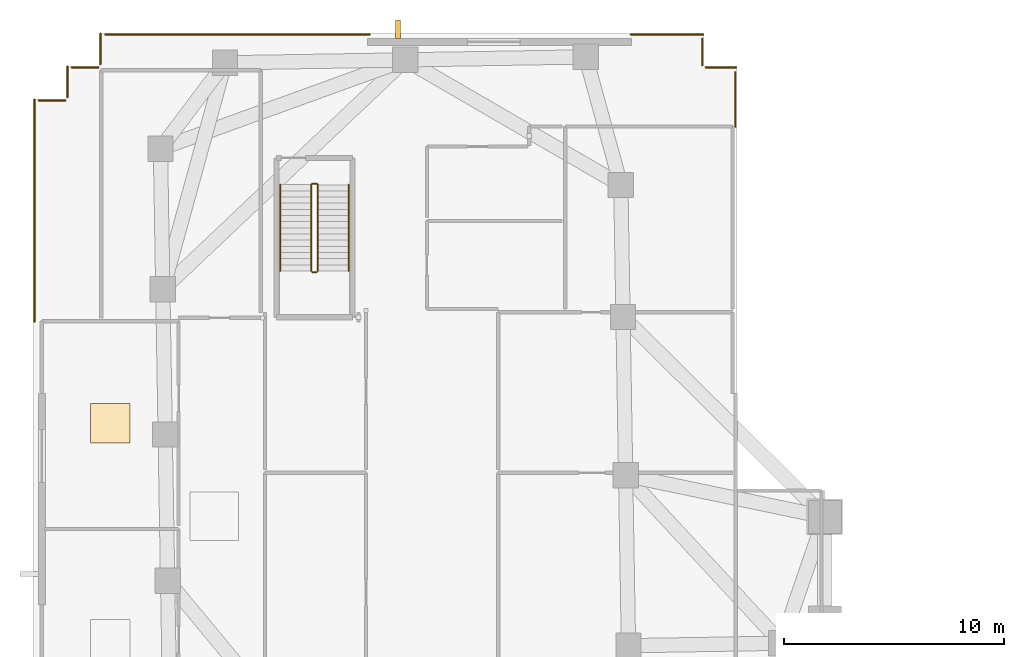
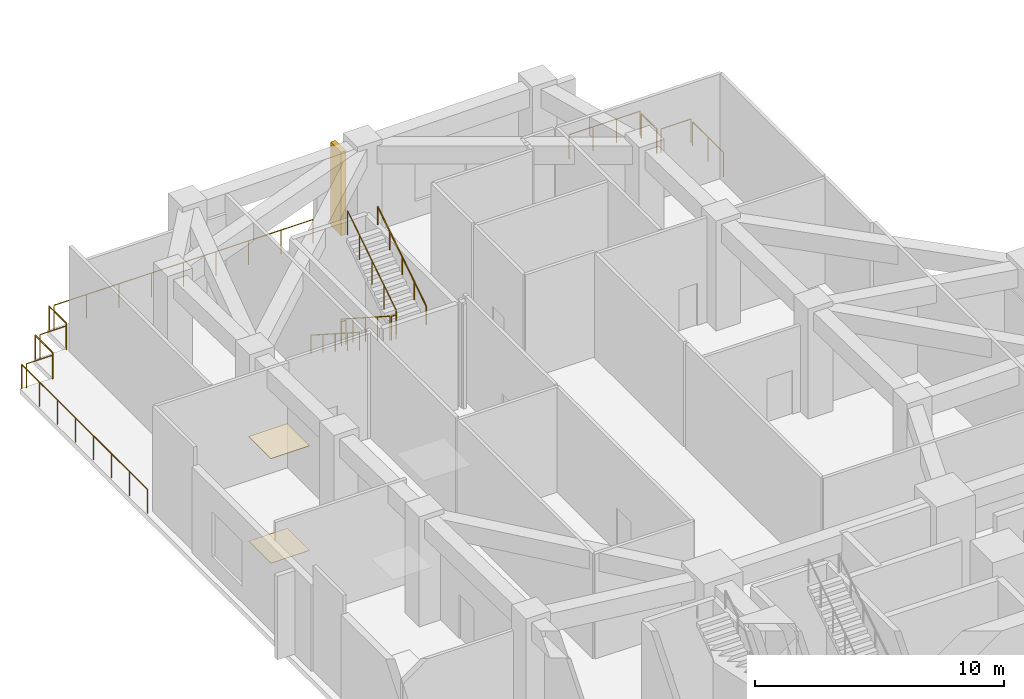
# One storey, part 17 of 18: 16 railings, 2 coverings, 1 shading device.
"""IFC4 building model written with IfcOpenShell, lengths in metres."""

from ifc_helpers import new_model, si_unit, direction, frame, origin, origin_2d, place, context, subcontext, project, spatial, rectangle, circle, extrude, material, layer, layer_set, type_object, element, save


model = new_model("IFC4")

# Units and contexts
model_context = context("Model", 3, precision=1e-05, world=origin(), true_north=direction((0.0, 1.0)))
body_context = subcontext(model_context, "Body", "Model", "MODEL_VIEW")
ifc_project = project(units=[si_unit("LENGTHUNIT", "METRE"), si_unit("AREAUNIT", "SQUARE_METRE"), si_unit("VOLUMEUNIT", "CUBIC_METRE"), si_unit("PLANEANGLEUNIT", "RADIAN"), si_unit("MASSUNIT", "GRAM", prefix="KILO")], contexts=[model_context])

# Site, building, storey
site_placement = place(None, origin())
site = spatial("IfcSite", under=ifc_project, at=site_placement, CompositionType="ELEMENT")
building_placement = place(site_placement, origin())
building = spatial("IfcBuilding", under=site, at=building_placement, Name="Gaonmaruhae Medical Tower", CompositionType="ELEMENT")
storey_placement = place(building_placement, frame((0.0, 0.0, 10.800048828125)))
storey = spatial("IfcBuildingStorey", under=building, at=storey_placement, Name="L02", CompositionType="ELEMENT", Elevation=10.800048828125)

# Coverings
ifc_material_1 = material(Name="Acoustic mineral ceiling tile", Category="finish")
ifc_layer_1 = layer(ifc_material_1, 0.02490234375)
ifc_layer_set_1 = layer_set([ifc_layer_1], Name="Acoustic mineral ceiling tile")
covering_type_1 = type_object("IfcCoveringType", Name="CLG-01 Antimicrobial Acoustic Mineral Ceiling", PredefinedType="CEILING", material=ifc_layer_set_1)
covering_1_placement = place(storey_placement, frame((3.510009765625, 33.449951171875, 5.125), z_axis=(0.0, 0.0, 1.0), x_axis=(1.0, 0.0, 0.0)))
element("IfcCovering", 1, at=covering_1_placement, inside=storey, type_object=covering_type_1, Name="L02 Clinical Room Acoustic Ceiling 4", PredefinedType="CEILING", context=body_context, shape_type="SweptSolid", body=[
    extrude(rectangle(XDim=1.800048828125, YDim=1.800048828125, at=origin_2d()), origin(), (0.0, 0.0, 1.0), 0.02490234375),
])
ifc_material_2 = material(Name="Seamless clinical vinyl flooring", Category="finish")
ifc_layer_2 = layer(ifc_material_2, 0.014892578125)
ifc_layer_set_2 = layer_set([ifc_layer_2], Name="Seamless clinical vinyl flooring")
covering_type_2 = type_object("IfcCoveringType", Name="FLR-01 Seamless Clinical Antistatic Vinyl Flooring", PredefinedType="FLOORING", material=ifc_layer_set_2)
covering_2_placement = place(storey_placement, frame((3.510009765625, 33.449951171875, 0.0), z_axis=(0.0, 0.0, 1.0), x_axis=(1.0, 0.0, 0.0)))
element("IfcCovering", 2, at=covering_2_placement, inside=storey, type_object=covering_type_2, Name="L02 Clinical Room Vinyl Flooring 4", PredefinedType="FLOORING", context=body_context, shape_type="SweptSolid", body=[
    extrude(rectangle(XDim=1.800048828125, YDim=1.800048828125, at=origin_2d()), origin(), (0.0, 0.0, 1.0), 0.014892578125),
])

# Railings
ifc_material_3 = material(Name="Stainless steel 316L and laminated safety glass", Category="steel")
ifc_layer_3 = layer(ifc_material_3, 0.080078125)
ifc_layer_set_3 = layer_set([ifc_layer_3], Name="Stainless steel 316L and laminated safety glass")
railing_type_1 = type_object("IfcRailingType", Name="GD-120 Outdoor Terrace Safety Glass & Steel Balustrade", PredefinedType="BALUSTRADE", material=ifc_layer_set_3)
railing_1_placement = place(storey_placement, frame((0.070068359375, 38.07568359375, 0.0)))
element("IfcRailing", 3, at=railing_1_placement, inside=storey, type_object=railing_type_1, Name="L02 Perimeter Slab Edge Safety Balustrade 03", PredefinedType="BALUSTRADE", context=body_context, shape_type="SweptSolid", body=[
    extrude(circle(Radius=0.02392578125, at=origin_2d()), frame((0.0, 0.0, 1.17578125), z_axis=(0.0, 1.0, 0.0), x_axis=(-1.0, 0.0, 0.0)), (0.0, 0.0, 1.0), 10.104248046875),
    extrude(circle(Radius=0.02099609375, at=origin_2d()), origin(), (0.0, 0.0, 1.0), 1.15185546875),
    extrude(circle(Radius=0.02099609375, at=origin_2d()), frame((0.0, 1.443359375, 0.0)), (0.0, 0.0, 1.0), 1.15185546875),
    extrude(circle(Radius=0.02099609375, at=origin_2d()), frame((0.0, 2.886962890625, 0.0)), (0.0, 0.0, 1.0), 1.15185546875),
    extrude(circle(Radius=0.02099609375, at=origin_2d()), frame((0.0, 4.330322265625, 0.0)), (0.0, 0.0, 1.0), 1.15185546875),
    extrude(circle(Radius=0.02099609375, at=origin_2d()), frame((0.0, 5.77392578125, 0.0)), (0.0, 0.0, 1.0), 1.15185546875),
    extrude(circle(Radius=0.02099609375, at=origin_2d()), frame((0.0, 7.21728515625, 0.0)), (0.0, 0.0, 1.0), 1.15185546875),
    extrude(circle(Radius=0.02099609375, at=origin_2d()), frame((0.0, 8.660888671875, 0.0)), (0.0, 0.0, 1.0), 1.15185546875),
    extrude(circle(Radius=0.02099609375, at=origin_2d()), frame((0.0, 10.104248046875, 0.0)), (0.0, 0.0, 1.0), 1.15185546875),
])
railing_2_placement = place(storey_placement, frame((0.25341796875, 48.1298828125, 0.0)))
element("IfcRailing", 4, at=railing_2_placement, inside=storey, type_object=railing_type_1, Name="L02 Perimeter Slab Edge Safety Balustrade 04", PredefinedType="BALUSTRADE", context=body_context, shape_type="SweptSolid", body=[
    extrude(circle(Radius=0.02392578125, at=origin_2d()), frame((0.0, 0.0, 1.17578125), z_axis=(1.0, 0.0, 0.0), x_axis=(0.0, 1.0, 0.0)), (0.0, 0.0, 1.0), 1.2265625),
    extrude(circle(Radius=0.02099609375, at=origin_2d()), origin(), (0.0, 0.0, 1.0), 1.15185546875),
    extrude(circle(Radius=0.02099609375, at=origin_2d()), frame((1.2265625, 0.0, 0.0)), (0.0, 0.0, 1.0), 1.15185546875),
])
railing_3_placement = place(storey_placement, frame((1.570068359375, 48.28662109375, 0.0)))
element("IfcRailing", 5, at=railing_3_placement, inside=storey, type_object=railing_type_1, Name="L02 Perimeter Slab Edge Safety Balustrade 05", PredefinedType="BALUSTRADE", context=body_context, shape_type="SweptSolid", body=[
    extrude(circle(Radius=0.02392578125, at=origin_2d()), frame((0.0, 0.0, 1.17578125), z_axis=(0.0, 1.0, 0.0), x_axis=(-1.0, 0.0, 0.0)), (0.0, 0.0, 1.0), 1.393310546875),
    extrude(circle(Radius=0.02099609375, at=origin_2d()), origin(), (0.0, 0.0, 1.0), 1.15185546875),
    extrude(circle(Radius=0.02099609375, at=origin_2d()), frame((0.0, 1.393310546875, 0.0)), (0.0, 0.0, 1.0), 1.15185546875),
])
railing_4_placement = place(storey_placement, frame((1.75341796875, 49.6298828125, 0.0)))
element("IfcRailing", 6, at=railing_4_placement, inside=storey, type_object=railing_type_1, Name="L02 Perimeter Slab Edge Safety Balustrade 06", PredefinedType="BALUSTRADE", context=body_context, shape_type="SweptSolid", body=[
    extrude(circle(Radius=0.02392578125, at=origin_2d()), frame((0.0, 0.0, 1.17578125), z_axis=(1.0, 0.0, 0.0), x_axis=(0.0, 1.0, 0.0)), (0.0, 0.0, 1.0), 1.2265625),
    extrude(circle(Radius=0.02099609375, at=origin_2d()), origin(), (0.0, 0.0, 1.0), 1.15185546875),
    extrude(circle(Radius=0.02099609375, at=origin_2d()), frame((1.2265625, 0.0, 0.0)), (0.0, 0.0, 1.0), 1.15185546875),
])
railing_5_placement = place(storey_placement, frame((3.070068359375, 49.78662109375, 0.0)))
element("IfcRailing", 7, at=railing_5_placement, inside=storey, type_object=railing_type_1, Name="L02 Perimeter Slab Edge Safety Balustrade 07", PredefinedType="BALUSTRADE", context=body_context, shape_type="SweptSolid", body=[
    extrude(circle(Radius=0.02392578125, at=origin_2d()), frame((0.0, 0.0, 1.17578125), z_axis=(0.0, 1.0, 0.0), x_axis=(-1.0, 0.0, 0.0)), (0.0, 0.0, 1.0), 1.393310546875),
    extrude(circle(Radius=0.02099609375, at=origin_2d()), origin(), (0.0, 0.0, 1.0), 1.15185546875),
    extrude(circle(Radius=0.02099609375, at=origin_2d()), frame((0.0, 1.393310546875, 0.0)), (0.0, 0.0, 1.0), 1.15185546875),
])
railing_6_placement = place(storey_placement, frame((3.279541015625, 51.1298828125, 0.0)))
element("IfcRailing", 8, at=railing_6_placement, inside=storey, type_object=railing_type_1, Name="L02 Perimeter Slab Edge Safety Balustrade 08", PredefinedType="BALUSTRADE", context=body_context, shape_type="SweptSolid", body=[
    extrude(circle(Radius=0.02392578125, at=origin_2d()), frame((0.0, 0.0, 1.17578125), z_axis=(1.0, 0.0, 0.0), x_axis=(0.0, 1.0, 0.0)), (0.0, 0.0, 1.0), 12.022705078125),
    extrude(circle(Radius=0.02099609375, at=origin_2d()), origin(), (0.0, 0.0, 1.0), 1.15185546875),
    extrude(circle(Radius=0.02099609375, at=origin_2d()), frame((1.5029296875, 0.0, 0.0)), (0.0, 0.0, 1.0), 1.15185546875),
    extrude(circle(Radius=0.02099609375, at=origin_2d()), frame((3.005615234375, 0.0, 0.0)), (0.0, 0.0, 1.0), 1.15185546875),
    extrude(circle(Radius=0.02099609375, at=origin_2d()), frame((4.508544921875, 0.0, 0.0)), (0.0, 0.0, 1.0), 1.15185546875),
    extrude(circle(Radius=0.02099609375, at=origin_2d()), frame((6.01123046875, 0.0, 0.0)), (0.0, 0.0, 1.0), 1.15185546875),
    extrude(circle(Radius=0.02099609375, at=origin_2d()), frame((7.51416015625, 0.0, 0.0)), (0.0, 0.0, 1.0), 1.15185546875),
    extrude(circle(Radius=0.02099609375, at=origin_2d()), frame((9.01708984375, 0.0, 0.0)), (0.0, 0.0, 1.0), 1.15185546875),
    extrude(circle(Radius=0.02099609375, at=origin_2d()), frame((10.519775390625, 0.0, 0.0)), (0.0, 0.0, 1.0), 1.15185546875),
    extrude(circle(Radius=0.02099609375, at=origin_2d()), frame((12.022705078125, 0.0, 0.0)), (0.0, 0.0, 1.0), 1.15185546875),
])
railing_7_placement = place(storey_placement, frame((27.184814453125, 51.1298828125, 0.0)))
element("IfcRailing", 9, at=railing_7_placement, inside=storey, type_object=railing_type_1, Name="L02 Perimeter Slab Edge Safety Balustrade 09", PredefinedType="BALUSTRADE", context=body_context, shape_type="SweptSolid", body=[
    extrude(circle(Radius=0.02392578125, at=origin_2d()), frame((0.0, 0.0, 1.17578125), z_axis=(1.0, 0.0, 0.0), x_axis=(0.0, 1.0, 0.0)), (0.0, 0.0, 1.0), 3.295166015625),
    extrude(circle(Radius=0.02099609375, at=origin_2d()), origin(), (0.0, 0.0, 1.0), 1.15185546875),
    extrude(circle(Radius=0.02099609375, at=origin_2d()), frame((1.098388671875, 0.0, 0.0)), (0.0, 0.0, 1.0), 1.15185546875),
    extrude(circle(Radius=0.02099609375, at=origin_2d()), frame((2.19677734375, 0.0, 0.0)), (0.0, 0.0, 1.0), 1.15185546875),
    extrude(circle(Radius=0.02099609375, at=origin_2d()), frame((3.295166015625, 0.0, 0.0)), (0.0, 0.0, 1.0), 1.15185546875),
])
railing_8_placement = place(storey_placement, frame((30.429931640625, 50.94677734375, 0.0)))
element("IfcRailing", 10, at=railing_8_placement, inside=storey, type_object=railing_type_1, Name="L02 Perimeter Slab Edge Safety Balustrade 10", PredefinedType="BALUSTRADE", context=body_context, shape_type="SweptSolid", body=[
    extrude(circle(Radius=0.02392578125, at=origin_2d()), frame((0.0, 0.0, 1.17578125), z_axis=(0.0, -1.0, 0.0), x_axis=(1.0, 0.0, 0.0)), (0.0, 0.0, 1.0), 1.226806640625),
    extrude(circle(Radius=0.02099609375, at=origin_2d()), origin(), (0.0, 0.0, 1.0), 1.15185546875),
    extrude(circle(Radius=0.02099609375, at=origin_2d()), frame((0.0, -1.226806640625, 0.0)), (0.0, 0.0, 1.0), 1.15185546875),
])
railing_9_placement = place(storey_placement, frame((30.586669921875, 49.6298828125, 0.0)))
element("IfcRailing", 11, at=railing_9_placement, inside=storey, type_object=railing_type_1, Name="L02 Perimeter Slab Edge Safety Balustrade 11", PredefinedType="BALUSTRADE", context=body_context, shape_type="SweptSolid", body=[
    extrude(circle(Radius=0.02392578125, at=origin_2d()), frame((0.0, 0.0, 1.17578125), z_axis=(1.0, 0.0, 0.0), x_axis=(0.0, 1.0, 0.0)), (0.0, 0.0, 1.0), 1.393310546875),
    extrude(circle(Radius=0.02099609375, at=origin_2d()), origin(), (0.0, 0.0, 1.0), 1.15185546875),
    extrude(circle(Radius=0.02099609375, at=origin_2d()), frame((1.393310546875, 0.0, 0.0)), (0.0, 0.0, 1.0), 1.15185546875),
])
railing_10_placement = place(storey_placement, frame((31.929931640625, 49.422607421875, 0.0)))
element("IfcRailing", 12, at=railing_10_placement, inside=storey, type_object=railing_type_1, Name="L02 Perimeter Slab Edge Safety Balustrade 12", PredefinedType="BALUSTRADE", context=body_context, shape_type="SweptSolid", body=[
    extrude(circle(Radius=0.02392578125, at=origin_2d()), frame((0.0, 0.0, 1.17578125), z_axis=(0.0, -1.0, 0.0), x_axis=(1.0, 0.0, 0.0)), (0.0, 0.0, 1.0), 2.483154296875),
    extrude(circle(Radius=0.02099609375, at=origin_2d()), origin(), (0.0, 0.0, 1.0), 1.15185546875),
    extrude(circle(Radius=0.02099609375, at=origin_2d()), frame((0.0, -1.24169921875, 0.0)), (0.0, 0.0, 1.0), 1.15185546875),
    extrude(circle(Radius=0.02099609375, at=origin_2d()), frame((0.0, -2.483154296875, 0.0)), (0.0, 0.0, 1.0), 1.15185546875),
])
ifc_material_4 = material(Name="Stainless steel 304 handrail", Category="steel")
railing_type_2 = type_object("IfcRailingType", Name="HR-092 Continuous Stainless Steel Stair Handrail", PredefinedType="HANDRAIL", material=ifc_material_4)
railing_11_placement = place(storey_placement, frame((11.25, 44.300048828125, 0.179931640625)))
element("IfcRailing", 13, at=railing_11_placement, inside=storey, type_object=railing_type_2, Name="L02 ST-05 stair handrail 1", PredefinedType="HANDRAIL", context=body_context, shape_type="SweptSolid", body=[
    extrude(circle(Radius=0.02392578125, at=origin_2d()), frame((0.0, 0.0, 0.8759765625), z_axis=(0.0, -0.841186985886, 0.540744352514), x_axis=(1.0, 0.0, 0.0)), (0.0, 0.0, 1.0), 4.660400390625),
    extrude(circle(Radius=0.02099609375, at=origin_2d()), origin(), (0.0, 0.0, 1.0), 0.851806640625),
    extrude(circle(Radius=0.02099609375, at=origin_2d()), frame((0.0, -0.97998046875, 0.6298828125)), (0.0, 0.0, 1.0), 0.851806640625),
    extrude(circle(Radius=0.02099609375, at=origin_2d()), frame((0.0, -1.9599609375, 1.260009765625)), (0.0, 0.0, 1.0), 0.851806640625),
    extrude(circle(Radius=0.02099609375, at=origin_2d()), frame((0.0, -2.940185546875, 1.89013671875)), (0.0, 0.0, 1.0), 0.851806640625),
    extrude(circle(Radius=0.02099609375, at=origin_2d()), frame((0.0, -3.920166015625, 2.52001953125)), (0.0, 0.0, 1.0), 0.851806640625),
])
railing_12_placement = place(storey_placement, frame((14.35009765625, 40.3798828125, 2.8798828125)))
element("IfcRailing", 14, at=railing_12_placement, inside=storey, type_object=railing_type_2, Name="L02 ST-05 stair handrail 2", PredefinedType="HANDRAIL", context=body_context, shape_type="SweptSolid", body=[
    extrude(circle(Radius=0.02392578125, at=origin_2d()), frame((0.0, 0.0, 0.8759765625), z_axis=(0.0, 0.841186985886, 0.540744352514), x_axis=(-1.0, 0.0, 0.0)), (0.0, 0.0, 1.0), 4.660400390625),
    extrude(circle(Radius=0.02099609375, at=origin_2d()), origin(), (0.0, 0.0, 1.0), 0.851806640625),
    extrude(circle(Radius=0.02099609375, at=origin_2d()), frame((0.0, 0.97998046875, 0.6298828125)), (0.0, 0.0, 1.0), 0.851806640625),
    extrude(circle(Radius=0.02099609375, at=origin_2d()), frame((0.0, 1.9599609375, 1.260009765625)), (0.0, 0.0, 1.0), 0.851806640625),
    extrude(circle(Radius=0.02099609375, at=origin_2d()), frame((0.0, 2.940185546875, 1.89013671875)), (0.0, 0.0, 1.0), 0.851806640625),
    extrude(circle(Radius=0.02099609375, at=origin_2d()), frame((0.0, 3.920166015625, 2.52001953125)), (0.0, 0.0, 1.0), 0.851806640625),
])

# Shading device
ifc_material_5 = material(Name="Pigmented coral precast concrete C45/55", Category="concrete")
shading_device_type = type_object("IfcShadingDeviceType", Name="SD-FIN2 Podium Vertical Coral Precast Shading Fin", PredefinedType="USERDEFINED", material=ifc_material_5)
shading_device_placement = place(storey_placement, frame((16.60009765625, 51.364990234375, 0.06494140625), z_axis=(0.0, 0.0, 1.0), x_axis=(1.0, 0.0, 0.0)))
element("IfcShadingDevice", 15, at=shading_device_placement, inside=storey, type_object=shading_device_type, Name="L02 Podium Coral Precast Shading Fin PB-N2", ObjectType="FIN", PredefinedType="USERDEFINED", context=body_context, shape_type="SweptSolid", body=[
    extrude(rectangle(XDim=0.219970703125, YDim=0.85009765625, at=origin_2d()), origin(), (0.0, 0.0, 1.0), 4.10009765625),
])

# Railings
ifc_material_6 = material(Name="Stainless steel 304 balustrade", Category="steel")
railing_type_3 = type_object("IfcRailingType", Name="SG-112 Stair Well & Ramp Void Safety Balustrade", PredefinedType="BALUSTRADE", material=ifc_material_6)
railing_13_placement = place(storey_placement, frame((12.64990234375, 44.300048828125, 0.179931640625)))
element("IfcRailing", 16, at=railing_13_placement, inside=storey, type_object=railing_type_3, Name="L02 ST-05 stair guard 1", PredefinedType="BALUSTRADE", context=body_context, shape_type="SweptSolid", body=[
    extrude(circle(Radius=0.02392578125, at=origin_2d()), frame((0.0, 0.0, 1.17578125), z_axis=(0.0, -0.841186985886, 0.540744352514), x_axis=(1.0, 0.0, 0.0)), (0.0, 0.0, 1.0), 4.660400390625),
    extrude(circle(Radius=0.02099609375, at=origin_2d()), origin(), (0.0, 0.0, 1.0), 1.15185546875),
    extrude(circle(Radius=0.02099609375, at=origin_2d()), frame((0.0, -0.97998046875, 0.6298828125)), (0.0, 0.0, 1.0), 1.15185546875),
    extrude(circle(Radius=0.02099609375, at=origin_2d()), frame((0.0, -1.9599609375, 1.260009765625)), (0.0, 0.0, 1.0), 1.15185546875),
    extrude(circle(Radius=0.02099609375, at=origin_2d()), frame((0.0, -2.940185546875, 1.89013671875)), (0.0, 0.0, 1.0), 1.15185546875),
    extrude(circle(Radius=0.02099609375, at=origin_2d()), frame((0.0, -3.920166015625, 2.52001953125)), (0.0, 0.0, 1.0), 1.15185546875),
])
railing_14_placement = place(storey_placement, frame((12.699951171875, 40.330078125, 2.699951171875)))
element("IfcRailing", 17, at=railing_14_placement, inside=storey, type_object=railing_type_3, Name="L02 ST-05 stair guard 2", PredefinedType="BALUSTRADE", context=body_context, shape_type="SweptSolid", body=[
    extrude(circle(Radius=0.02392578125, at=origin_2d()), frame((0.0, 0.0, 1.17578125), z_axis=(1.0, 0.0, 0.0), x_axis=(0.0, 1.0, 0.0)), (0.0, 0.0, 1.0), 0.199951171875),
    extrude(circle(Radius=0.02099609375, at=origin_2d()), origin(), (0.0, 0.0, 1.0), 1.15185546875),
    extrude(circle(Radius=0.02099609375, at=origin_2d()), frame((0.199951171875, 0.0, 0.0)), (0.0, 0.0, 1.0), 1.15185546875),
])
railing_15_placement = place(storey_placement, frame((12.949951171875, 40.3798828125, 2.8798828125)))
element("IfcRailing", 18, at=railing_15_placement, inside=storey, type_object=railing_type_3, Name="L02 ST-05 stair guard 3", PredefinedType="BALUSTRADE", context=body_context, shape_type="SweptSolid", body=[
    extrude(circle(Radius=0.02392578125, at=origin_2d()), frame((0.0, 0.0, 1.17578125), z_axis=(0.0, 0.841186985886, 0.540744352514), x_axis=(-1.0, 0.0, 0.0)), (0.0, 0.0, 1.0), 4.660400390625),
    extrude(circle(Radius=0.02099609375, at=origin_2d()), origin(), (0.0, 0.0, 1.0), 1.15185546875),
    extrude(circle(Radius=0.02099609375, at=origin_2d()), frame((0.0, 0.97998046875, 0.6298828125)), (0.0, 0.0, 1.0), 1.15185546875),
    extrude(circle(Radius=0.02099609375, at=origin_2d()), frame((0.0, 1.9599609375, 1.260009765625)), (0.0, 0.0, 1.0), 1.15185546875),
    extrude(circle(Radius=0.02099609375, at=origin_2d()), frame((0.0, 2.940185546875, 1.89013671875)), (0.0, 0.0, 1.0), 1.15185546875),
    extrude(circle(Radius=0.02099609375, at=origin_2d()), frame((0.0, 3.920166015625, 2.52001953125)), (0.0, 0.0, 1.0), 1.15185546875),
])
railing_16_placement = place(storey_placement, frame((12.699951171875, 44.35009765625, 0.0)))
element("IfcRailing", 19, at=railing_16_placement, inside=storey, type_object=railing_type_3, Name="L02 ST-05 stair guard 4", PredefinedType="BALUSTRADE", context=body_context, shape_type="SweptSolid", body=[
    extrude(circle(Radius=0.02392578125, at=origin_2d()), frame((0.0, 0.0, 1.17578125), z_axis=(1.0, 0.0, 0.0), x_axis=(0.0, 1.0, 0.0)), (0.0, 0.0, 1.0), 0.199951171875),
    extrude(circle(Radius=0.02099609375, at=origin_2d()), origin(), (0.0, 0.0, 1.0), 1.15185546875),
    extrude(circle(Radius=0.02099609375, at=origin_2d()), frame((0.199951171875, 0.0, 0.0)), (0.0, 0.0, 1.0), 1.15185546875),
])

save(model, "model.ifc")
